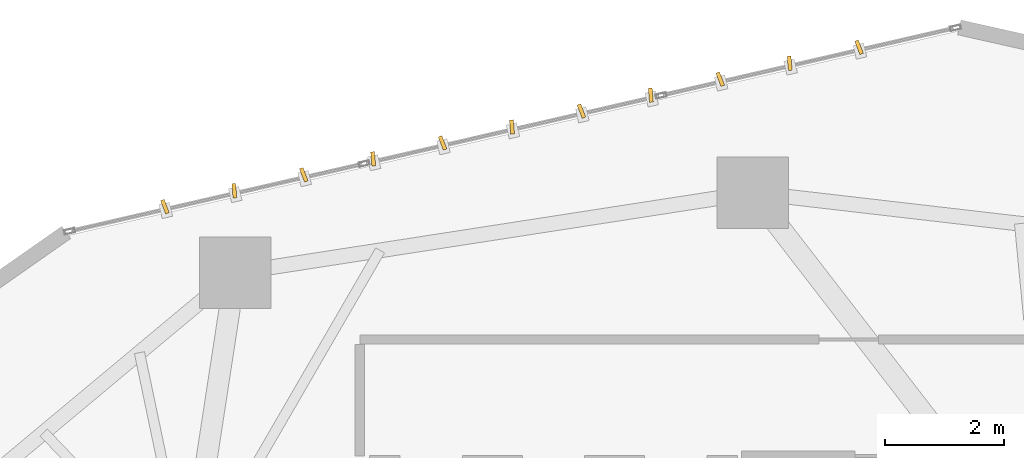
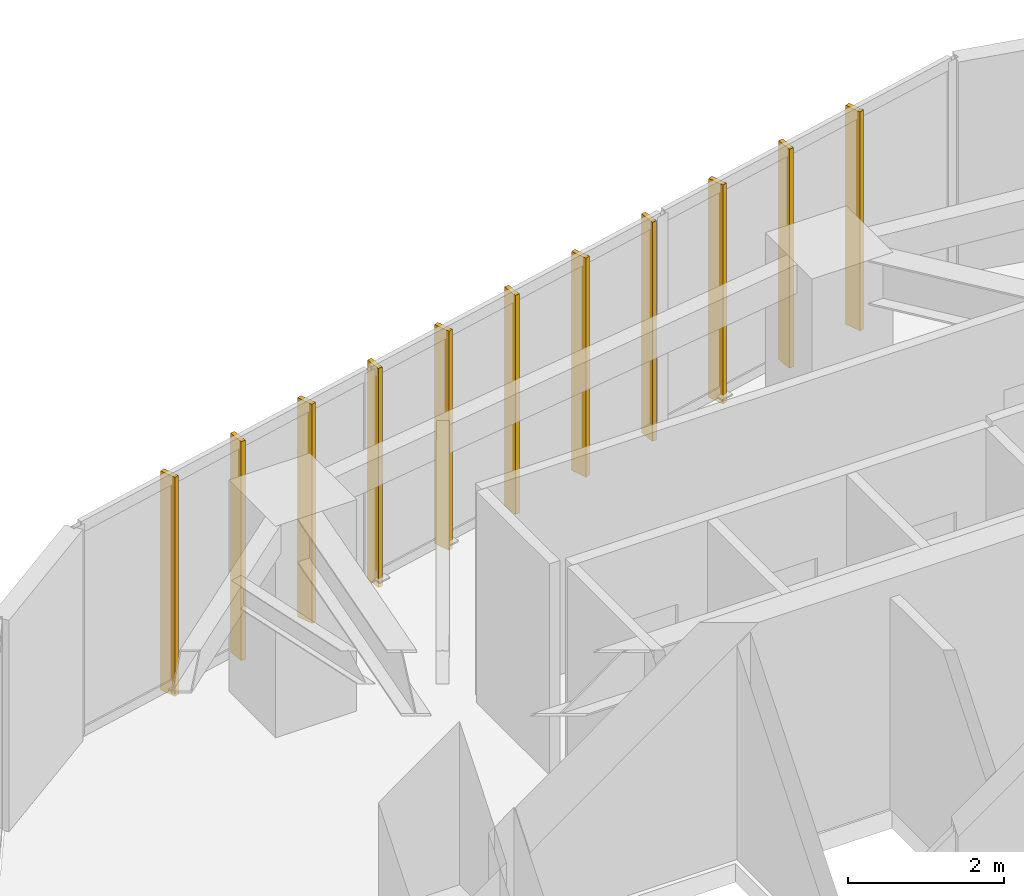
# One storey, part 21 of 21: 11 shading devices.
"""IFC4 building model written with IfcOpenShell, lengths in metres."""

from ifc_helpers import new_model, si_unit, direction, frame, origin, origin_2d, place, context, subcontext, project, spatial, rectangle, extrude, source, transform, mapped, material, layer, layer_set, type_object, type_shapes, element, save


model = new_model("IFC4")

# Units and contexts
model_context = context("Model", 3, precision=1e-05, world=origin(), true_north=direction((0.0, 1.0)))
body_context = subcontext(model_context, "Body", "Model", "MODEL_VIEW")
ifc_project = project(units=[si_unit("LENGTHUNIT", "METRE"), si_unit("AREAUNIT", "SQUARE_METRE"), si_unit("VOLUMEUNIT", "CUBIC_METRE"), si_unit("PLANEANGLEUNIT", "RADIAN"), si_unit("MASSUNIT", "GRAM", prefix="KILO")], contexts=[model_context])

# Site, building, storey
site_placement = place(None, origin())
site = spatial("IfcSite", under=ifc_project, at=site_placement, CompositionType="ELEMENT")
building_placement = place(site_placement, origin())
building = spatial("IfcBuilding", under=site, at=building_placement, Name="Talar Marvaseh", CompositionType="ELEMENT")
storey_placement = place(building_placement, frame((0.0, 0.0, 129.0)))
storey = spatial("IfcBuildingStorey", under=building, at=storey_placement, Name="L33", CompositionType="ELEMENT", Elevation=129.0)

# Shading devices
ifc_material = material(Name="Anodised Champagne Bronze Aluminium", Category="aluminium")
ifc_layer = layer(ifc_material, 0.06494140625)
ifc_layer_set = layer_set([ifc_layer], Name="Anodised Champagne Bronze Aluminium")
shading_device_type = type_object("IfcShadingDeviceType", Name="Sawtooth Champagne Bronze Vertical Fin 240", PredefinedType="USERDEFINED", material=ifc_layer_set)
shared_shape = source(origin(), body_context, "Body", "SweptSolid", [
    extrude(rectangle(XDim=0.239990234375, YDim=0.06494140625, at=origin_2d()), origin(), (0.0, 0.0, 1.0), 3.429931640625),
])
type_shapes(shading_device_type, [shared_shape])
for number, where, z_axis, x_axis, name in (
    (1, (18.317138671875, 43.237060546875, -0.1201171875), (0.0, 0.0, 1.0), (-0.357227098715, 0.934017558691, 0.0), "L33 Sawtooth Vertical Solar Fin"),
    (2, (19.486572265625, 43.505615234375, -0.1201171875), (0.0, 0.0, 1.0), (-0.085938596582, 0.99630043542, 0.0), "L33 Sawtooth Vertical Solar Fin"),
    (3, (20.65625, 43.774169921875, -0.1201171875), (0.0, 0.0, 1.0), (-0.357227098715, 0.934017558691, 0.0), "L33 Sawtooth Vertical Solar Fin"),
    (4, (21.82568359375, 44.04248046875, -0.1201171875), (0.0, 0.0, 1.0), (-0.085938596582, 0.99630043542, 0.0), "L33 Sawtooth Vertical Solar Fin"),
    (5, (22.995361328125, 44.311279296875, -0.1201171875), (0.0, 0.0, 1.0), (-0.357227098715, 0.934017558691, 0.0), "L33 Sawtooth Vertical Solar Fin"),
    (6, (24.164794921875, 44.57958984375, -0.1201171875), (0.0, 0.0, 1.0), (-0.085938596582, 0.99630043542, 0.0), "L33 Sawtooth Vertical Solar Fin"),
    (7, (25.33447265625, 44.848388671875, -0.1201171875), (0.0, 0.0, 1.0), (-0.357227098715, 0.934017558691, 0.0), "L33 Sawtooth Vertical Solar Fin"),
    (8, (26.50390625, 45.11669921875, -0.1201171875), (0.0, 0.0, 1.0), (-0.085938596582, 0.99630043542, 0.0), "L33 Sawtooth Vertical Solar Fin"),
    (9, (27.673583984375, 45.385498046875, -0.1201171875), (0.0, 0.0, 1.0), (-0.357227098715, 0.934017558691, 0.0), "L33 Sawtooth Vertical Solar Fin"),
    (10, (28.84326171875, 45.65380859375, -0.1201171875), (0.0, 0.0, 1.0), (-0.085938596582, 0.99630043542, 0.0), "L33 Sawtooth Vertical Solar Fin"),
    (11, (30.0126953125, 45.922607421875, -0.1201171875), (0.0, 0.0, 1.0), (-0.357227098715, 0.934017558691, 0.0), "L33 Sawtooth Vertical Solar Fin"),
):
    element("IfcShadingDevice", number, at=place(storey_placement, frame(where, z_axis=z_axis, x_axis=x_axis)), inside=storey, type_object=shading_device_type, Name=name, ObjectType="FIN", PredefinedType="USERDEFINED", context=body_context, shape_type="MappedRepresentation", body=[
        mapped(shared_shape, transform((0.0, 0.0, 0.0), x_axis=(1.0, 0.0, 0.0), y_axis=(0.0, 1.0, 0.0), z_axis=(0.0, 0.0, 1.0), scale=1.0)),
    ])

save(model, "model.ifc")
